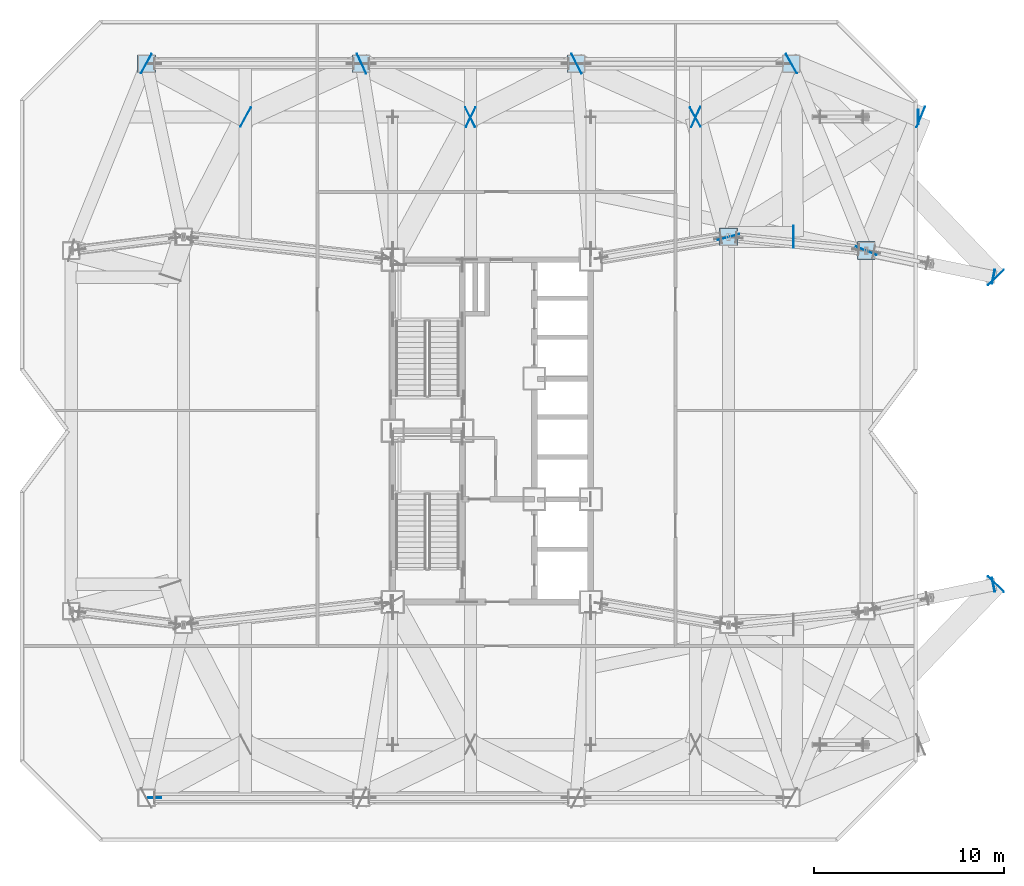
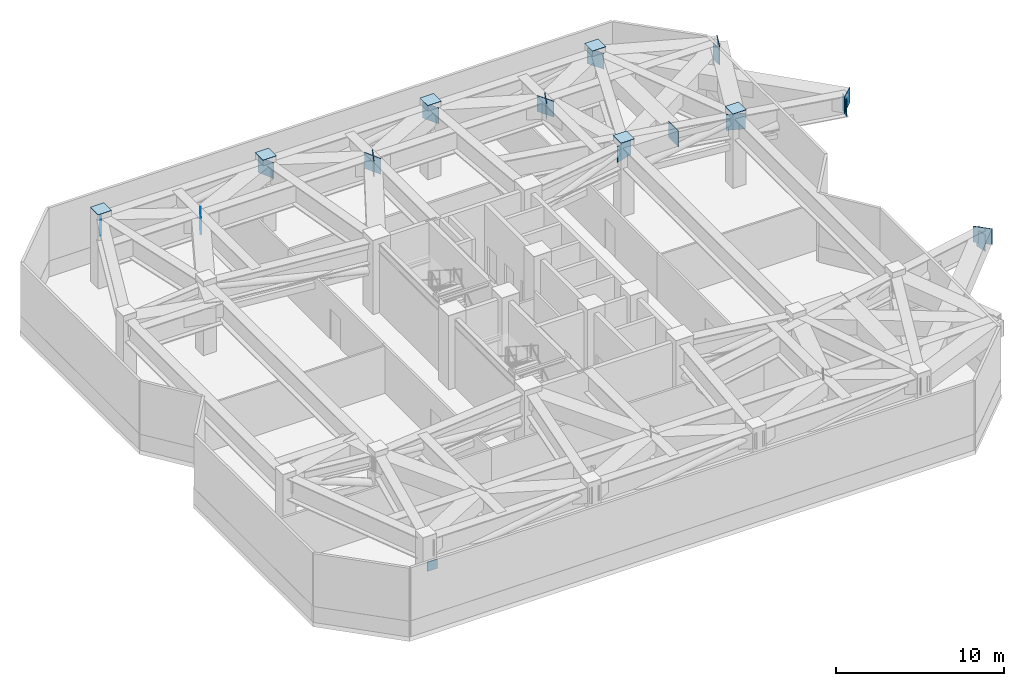
# One storey, part 8 of 19: 25 plates.
"""IFC4 building model written with IfcOpenShell, lengths in metres."""

from ifc_helpers import new_model, si_unit, direction, frame, origin, origin_2d, place, context, subcontext, project, spatial, rectangle, extrude, material, layer, layer_set, type_object, element, save


model = new_model("IFC4")

# Units and contexts
model_context = context("Model", 3, precision=1e-05, world=origin(), true_north=direction((0.0, 1.0)))
body_context = subcontext(model_context, "Body", "Model", "MODEL_VIEW")
ifc_project = project(units=[si_unit("LENGTHUNIT", "METRE"), si_unit("AREAUNIT", "SQUARE_METRE"), si_unit("VOLUMEUNIT", "CUBIC_METRE"), si_unit("PLANEANGLEUNIT", "RADIAN"), si_unit("MASSUNIT", "GRAM", prefix="KILO")], contexts=[model_context])

# Site, building, storey
site_placement = place(None, origin())
site = spatial("IfcSite", under=ifc_project, at=site_placement, CompositionType="ELEMENT")
building_placement = place(site_placement, origin())
building = spatial("IfcBuilding", under=site, at=building_placement, Name="Khamvora Tower", CompositionType="ELEMENT")
storey_placement = place(building_placement, frame((0.0, 0.0, 150.5)))
storey = spatial("IfcBuildingStorey", under=building, at=storey_placement, Name="L38", CompositionType="ELEMENT", Elevation=150.5)

# Plates
ifc_material_1 = material(Name="Steel S355", Category="steel")
ifc_layer_1 = layer(ifc_material_1, 0.02490234375)
ifc_layer_set_1 = layer_set([ifc_layer_1], Name="Steel S355")
plate_type_1 = type_object("IfcPlateType", Name="PL-CAP-25", PredefinedType="SHEET", material=ifc_layer_set_1)
for number, where, z_axis, x_axis, name in (
    (1, (16.050048828125, 47.300048828125, 5.37548828125), (0.0, 0.0, 1.0), (1.0, 0.0, 0.0), "L38 hollow section steel end cap plate 0160"),
    (2, (27.35009765625, 47.300048828125, 5.37548828125), (0.0, 0.0, 1.0), (1.0, 0.0, 0.0), "L38 hollow section steel end cap plate 0163"),
    (3, (38.64990234375, 47.300048828125, 5.37548828125), (0.0, 0.0, 1.0), (1.0, 0.0, 0.0), "L38 hollow section steel end cap plate 0166"),
    (4, (49.949951171875, 47.300048828125, 5.37548828125), (0.0, 0.0, 1.0), (1.0, 0.0, 0.0), "L38 hollow section steel end cap plate 0169"),
    (5, (53.89990234375, 37.47998046875, 5.37548828125), (0.0, 0.0, 1.0), (1.0, 0.0, 0.0), "L38 hollow section steel end cap plate 0181"),
    (6, (46.64990234375, 38.199951171875, 5.37548828125), (0.0, 0.0, 1.0), (1.0, 0.0, 0.0), "L38 hollow section steel end cap plate 0187"),
):
    element("IfcPlate", number, at=place(storey_placement, frame(where, z_axis=z_axis, x_axis=x_axis)), inside=storey, type_object=plate_type_1, Name=name, PredefinedType="SHEET", context=body_context, shape_type="SweptSolid", body=[
        extrude(rectangle(XDim=0.929931640625, YDim=0.929931640625, at=origin_2d()), origin(), (0.0, 0.0, 1.0), 0.02490234375),
    ])
for number, where, z_axis, x_axis, name in (
    (7, (16.0390625, 47.305908203125, 3.85009765625), (0.0, 0.0, 1.0), (0.880469078975, -0.474103576204, 0.0), "L38 hollow section steel end cap plate 0910"),
    (8, (21.260986328125, 44.493896484375, 3.85009765625), (0.0, 0.0, 1.0), (0.880469078975, -0.474103576204, 0.0), "L38 hollow section steel end cap plate 0911"),
    (9, (27.361083984375, 47.304931640625, 3.85009765625), (0.0, 0.0, 1.0), (-0.90882880848, -0.417169266458, 0.0), "L38 hollow section steel end cap plate 0912"),
    (10, (38.660888671875, 47.305908203125, 3.85009765625), (0.0, 0.0, 1.0), (-0.893363546096, -0.44933459082, 0.0), "L38 hollow section steel end cap plate 0914"),
    (11, (33.072021484375, 44.493896484375, 3.85009765625), (0.0, 0.0, 1.0), (-0.893363546096, -0.44933459082, 0.0), "L38 hollow section steel end cap plate 0915"),
    (12, (33.093994140625, 44.4951171875, 3.85009765625), (0.0, 0.0, 1.0), (0.89855673314, -0.438857376979, 0.0), "L38 hollow section steel end cap plate 0916"),
    (13, (49.9609375, 47.305908203125, 3.85009765625), (0.0, 0.0, 1.0), (-0.873874061715, -0.486152367332, 0.0), "L38 hollow section steel end cap plate 0918"),
    (14, (44.906005859375, 44.493896484375, 3.85009765625), (0.0, 0.0, 1.0), (-0.873874061715, -0.486152367332, 0.0), "L38 hollow section steel end cap plate 0919"),
    (15, (46.653076171875, 38.18798828125, 3.85009765625), (0.0, 0.0, 1.0), (-0.265219568533, 0.964188042068, 0.0), "L38 hollow section steel end cap plate 0920"),
    (16, (44.927978515625, 44.4951171875, 3.85009765625), (0.0, 0.0, 1.0), (0.913019377726, -0.407916187344, 0.0), "L38 hollow section steel end cap plate 0921"),
    (17, (56.761962890625, 44.4951171875, 3.85009765625), (0.0, 0.0, 1.0), (0.924678995938, -0.380747625693, 0.0), "L38 hollow section steel end cap plate 0922"),
    (18, (53.89501953125, 37.462890625, 3.85009765625), (0.0, 0.0, 1.0), (0.375933167024, 0.926646779486, 0.0), "L38 hollow section steel end cap plate 0923"),
    (19, (60.708984375, 19.93408203125, 3.85009765625), (0.0, 0.0, 1.0), (0.691664332169, 0.722219116062, 0.0), "L38 hollow section steel end cap plate 0928"),
    (20, (60.708984375, 36.06591796875, 3.85009765625), (0.0, 0.0, 1.0), (0.691664332169, -0.722219116062, 0.0), "L38 hollow section steel end cap plate 0929"),
    (21, (50.06201171875, 38.199951171875, 3.85009765625), (0.0, 0.0, 1.0), (1.0, 0.0, 0.0), "L38 hollow section steel end cap plate 0931"),
):
    element("IfcPlate", number, at=place(storey_placement, frame(where, z_axis=z_axis, x_axis=x_axis)), inside=storey, type_object=plate_type_1, Name=name, PredefinedType="SHEET", context=body_context, shape_type="SweptSolid", body=[
        extrude(rectangle(XDim=0.02490234375, YDim=1.159912109375, at=origin_2d()), origin(), (0.0, 0.0, 1.0), 1.159912109375),
    ])
ifc_material_2 = material(Name="Steel S460", Category="steel")
ifc_layer_2 = layer(ifc_material_2, 0.044921875)
ifc_layer_set_2 = layer_set([ifc_layer_2], Name="Steel S460")
plate_type_2 = type_object("IfcPlateType", Name="PLT-CAP-45", PredefinedType="SHEET", material=ifc_layer_set_2)
for number, where, z_axis, x_axis, name in (
    (22, (56.6298828125, 44.5, 3.52978515625), (0.0, 0.0, 1.0), (1.0, 0.0, 0.0), "L38 transfer box end cap plate N4"),
    (23, (60.58203125, 19.90087890625, 3.52978515625), (0.0, 0.0, 1.0), (0.979457043256, 0.201652920672, 0.0), "L38 transfer box end cap plate E1"),
    (24, (60.58203125, 36.09912109375, 3.52978515625), (0.0, 0.0, 1.0), (0.979457043256, -0.201652920672, 0.0), "L38 transfer box end cap plate E2"),
):
    element("IfcPlate", number, at=place(storey_placement, frame(where, z_axis=z_axis, x_axis=x_axis)), inside=storey, type_object=plate_type_2, Name=name, PredefinedType="SHEET", context=body_context, shape_type="SweptSolid", body=[
        extrude(rectangle(XDim=0.044921875, YDim=0.75, at=origin_2d()), origin(), (0.0, 0.0, 1.0), 1.199951171875),
    ])
ifc_layer_3 = layer(ifc_material_2, 0.050048828125)
ifc_layer_set_3 = layer_set([ifc_layer_3], Name="Steel S460")
plate_type_3 = type_object("IfcPlateType", Name="PLT-GUS-50", PredefinedType="SHEET", material=ifc_layer_set_3)
plate_placement = place(storey_placement, frame((16.47412109375, 8.699951171875, 2.490234375), z_axis=(0.0, 0.0, 1.0), x_axis=(1.0, 0.0, 0.0)))
element("IfcPlate", 25, at=plate_placement, inside=storey, type_object=plate_type_3, Name="L38 brace connection node gusset plate 0245", PredefinedType="SHEET", context=body_context, shape_type="SweptSolid", body=[
    extrude(rectangle(XDim=0.679931640625, YDim=0.050048828125, at=origin_2d()), origin(), (0.0, 0.0, 1.0), 0.679931640625),
])

save(model, "model.ifc")
